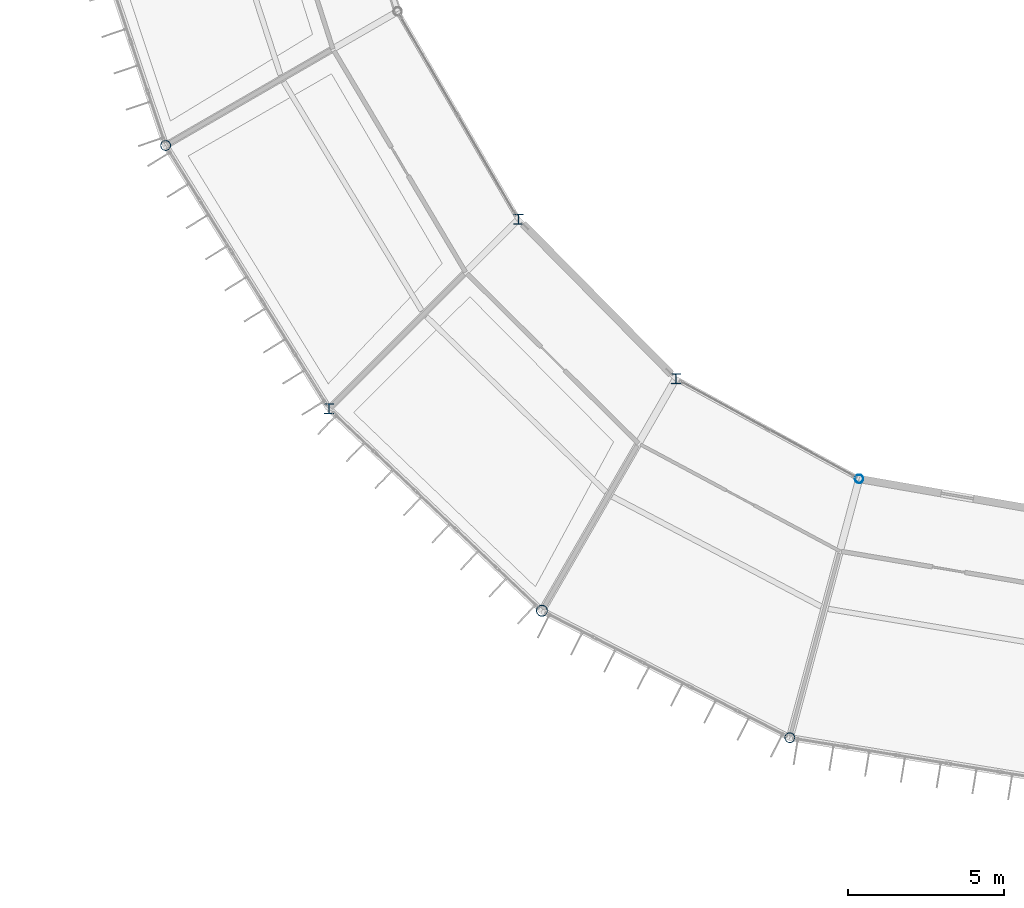
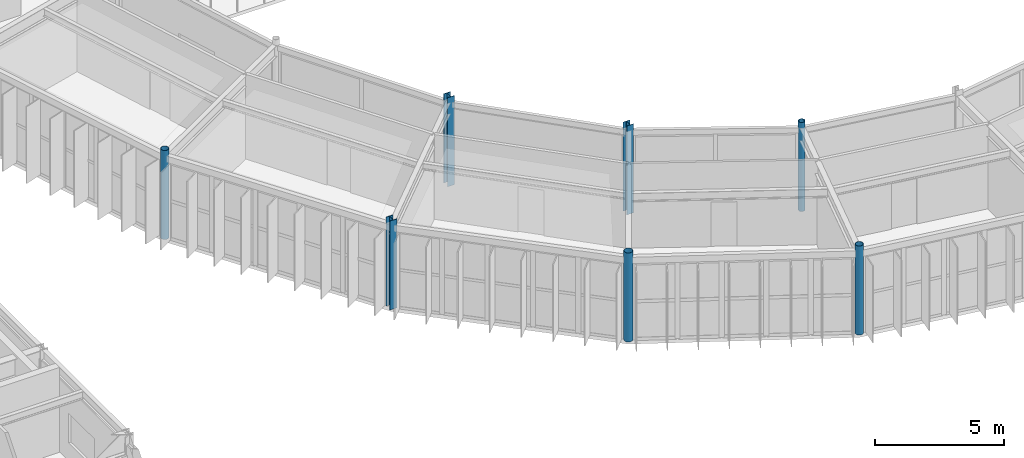
# One storey, part 3 of 147: 7 columns.
"""IFC4 building model written with IfcOpenShell, lengths in metres."""

from ifc_helpers import new_model, si_unit, direction, frame, origin, origin_2d, place, context, subcontext, project, spatial, hollow_circle, i_section, extrude, material, material_profile, profile_set, type_object, element, save


model = new_model("IFC4")

# Units and contexts
model_context = context("Model", 3, precision=1e-05, world=origin(), true_north=direction((0.0, 1.0)))
body_context = subcontext(model_context, "Body", "Model", "MODEL_VIEW")
ifc_project = project(units=[si_unit("LENGTHUNIT", "METRE"), si_unit("AREAUNIT", "SQUARE_METRE"), si_unit("VOLUMEUNIT", "CUBIC_METRE"), si_unit("PLANEANGLEUNIT", "RADIAN"), si_unit("MASSUNIT", "GRAM", prefix="KILO")], contexts=[model_context])

# Site, building, storey
site_placement = place(None, origin())
site = spatial("IfcSite", under=ifc_project, at=site_placement, CompositionType="ELEMENT")
building_placement = place(site_placement, origin())
building = spatial("IfcBuilding", under=site, at=building_placement, Name="Karori Crest Natural Sciences Institute", CompositionType="ELEMENT")
storey_placement = place(building_placement, frame((0.0, 0.0, 9.10009765625)))
storey = spatial("IfcBuildingStorey", under=building, at=storey_placement, Name="L02", CompositionType="ELEMENT", Elevation=9.10009765625)

# Columns
ifc_material_1 = material(Name="Structural steel AS/NZS 3679.1 Grade 350", Category="steel")
ifc_material_profile_1 = material_profile(ifc_material_1, i_section(OverallWidth=0.31103515625, OverallDepth=0.326904296875, WebThickness=0.015625, FlangeThickness=0.02490234375, FilletRadius=0.01708984375, at=origin_2d()), Name="310UC158")
ifc_profile_set_1 = profile_set([ifc_material_profile_1], Name="Structural steel AS/NZS 3679.1 Grade 350")
column_type_1 = type_object("IfcColumnType", Name="CT-04", PredefinedType="COLUMN", material=ifc_profile_set_1)
column_1_placement = place(storey_placement, frame((43.0654296875, 21.050048828125, 0.0), z_axis=(0.0, 0.0, 1.0), x_axis=(1.0, 0.0, 0.0)))
element("IfcColumn", 1, at=column_1_placement, inside=storey, type_object=column_type_1, Name="Column C-0257", PredefinedType="COLUMN", context=body_context, shape_type="SweptSolid", body=[
    extrude(i_section(OverallWidth=0.31103515625, OverallDepth=0.326904296875, WebThickness=0.015625, FlangeThickness=0.02490234375, FilletRadius=0.01708984375, at=origin_2d()), origin(), (0.0, 0.0, 1.0), 4.199951171875),
])
ifc_material_profile_2 = material_profile(ifc_material_1, i_section(OverallWidth=0.306884765625, OverallDepth=0.31494140625, WebThickness=0.011962890625, FlangeThickness=0.018798828125, FilletRadius=0.01708984375, at=origin_2d()), Name="310UC118")
ifc_profile_set_2 = profile_set([ifc_material_profile_2], Name="Structural steel AS/NZS 3679.1 Grade 350")
column_type_2 = type_object("IfcColumnType", Name="CT-05", PredefinedType="COLUMN", material=ifc_profile_set_2)
column_2_placement = place(storey_placement, frame((49.146484375, 27.131103515625, 0.0), z_axis=(0.0, 0.0, 1.0), x_axis=(1.0, 0.0, 0.0)))
element("IfcColumn", 2, at=column_2_placement, inside=storey, type_object=column_type_2, Name="Column C-0258", PredefinedType="COLUMN", context=body_context, shape_type="SweptSolid", body=[
    extrude(i_section(OverallWidth=0.306884765625, OverallDepth=0.31494140625, WebThickness=0.011962890625, FlangeThickness=0.018798828125, FilletRadius=0.01708984375, at=origin_2d()), origin(), (0.0, 0.0, 1.0), 4.199951171875),
])
ifc_material_2 = material(Name="Hollow structural steel AS/NZS 1163 Grade C350", Category="steel")
ifc_material_profile_3 = material_profile(ifc_material_2, hollow_circle(Radius=0.177734375, WallThickness=0.0126953125, at=origin_2d()), Name="CHS355.6x12.7")
ifc_profile_set_3 = profile_set([ifc_material_profile_3], Name="Hollow structural steel AS/NZS 1163 Grade C350")
column_type_3 = type_object("IfcColumnType", Name="CT-14", PredefinedType="COLUMN", material=ifc_profile_set_3)
column_3_placement = place(storey_placement, frame((49.89990234375, 14.566162109375, 0.0), z_axis=(0.0, 0.0, 1.0), x_axis=(1.0, 0.0, 0.0)))
element("IfcColumn", 3, at=column_3_placement, inside=storey, type_object=column_type_3, Name="Column C-0271", PredefinedType="COLUMN", context=body_context, shape_type="SweptSolid", body=[
    extrude(hollow_circle(Radius=0.177734375, WallThickness=0.0126953125, at=origin_2d()), origin(), (0.0, 0.0, 1.0), 4.199951171875),
])
ifc_material_profile_4 = material_profile(ifc_material_2, hollow_circle(Radius=0.161865234375, WallThickness=0.0126953125, at=origin_2d()), Name="CHS323.9x12.7")
ifc_profile_set_4 = profile_set([ifc_material_profile_4], Name="Hollow structural steel AS/NZS 1163 Grade C350")
column_type_4 = type_object("IfcColumnType", Name="CT-15", PredefinedType="COLUMN", material=ifc_profile_set_4)
for number, where, z_axis, x_axis, name in (
    (4, (37.8212890625, 29.5, 0.0), (0.0, 0.0, 1.0), (1.0, 0.0, 0.0), "Column C-0243"),
    (5, (57.85888671875, 10.490234375, 0.0), (0.0, 0.0, 1.0), (1.0, 0.0, 0.0), "Column C-0287"),
):
    element("IfcColumn", number, at=place(storey_placement, frame(where, z_axis=z_axis, x_axis=x_axis)), inside=storey, type_object=column_type_4, Name=name, PredefinedType="COLUMN", context=body_context, shape_type="SweptSolid", body=[
        extrude(hollow_circle(Radius=0.161865234375, WallThickness=0.0126953125, at=origin_2d()), origin(), (0.0, 0.0, 1.0), 4.199951171875),
    ])
ifc_material_profile_5 = material_profile(ifc_material_2, hollow_circle(Radius=0.136474609375, WallThickness=0.00927734375, at=origin_2d()), Name="CHS273.0x9.3")
ifc_profile_set_5 = profile_set([ifc_material_profile_5], Name="Hollow structural steel AS/NZS 1163 Grade C350")
column_type_5 = type_object("IfcColumnType", Name="CT-16", PredefinedType="COLUMN", material=ifc_profile_set_5)
column_4_placement = place(storey_placement, frame((60.084716796875, 18.797119140625, 0.0), z_axis=(0.0, 0.0, 1.0), x_axis=(1.0, 0.0, 0.0)))
element("IfcColumn", 6, at=column_4_placement, inside=storey, type_object=column_type_5, Name="Column C-0288", PredefinedType="COLUMN", context=body_context, shape_type="SweptSolid", body=[
    extrude(hollow_circle(Radius=0.136474609375, WallThickness=0.00927734375, at=origin_2d()), origin(), (0.0, 0.0, 1.0), 4.199951171875),
])
ifc_material_profile_6 = material_profile(ifc_material_1, i_section(OverallWidth=0.304931640625, OverallDepth=0.30810546875, WebThickness=0.010009765625, FlangeThickness=0.015380859375, FilletRadius=0.01708984375, at=origin_2d()), Name="310UC96.8")
ifc_profile_set_6 = profile_set([ifc_material_profile_6], Name="Structural steel AS/NZS 3679.1 Grade 350")
column_type_6 = type_object("IfcColumnType", Name="CT-25", PredefinedType="COLUMN", material=ifc_profile_set_6)
column_5_placement = place(storey_placement, frame((54.199951171875, 22.013916015625, 0.0), z_axis=(0.0, 0.0, 1.0), x_axis=(1.0, 0.0, 0.0)))
element("IfcColumn", 7, at=column_5_placement, inside=storey, type_object=column_type_6, Name="Column C-0272", PredefinedType="COLUMN", context=body_context, shape_type="SweptSolid", body=[
    extrude(i_section(OverallWidth=0.304931640625, OverallDepth=0.30810546875, WebThickness=0.010009765625, FlangeThickness=0.015380859375, FilletRadius=0.01708984375, at=origin_2d()), origin(), (0.0, 0.0, 1.0), 4.199951171875),
])

save(model, "model.ifc")
